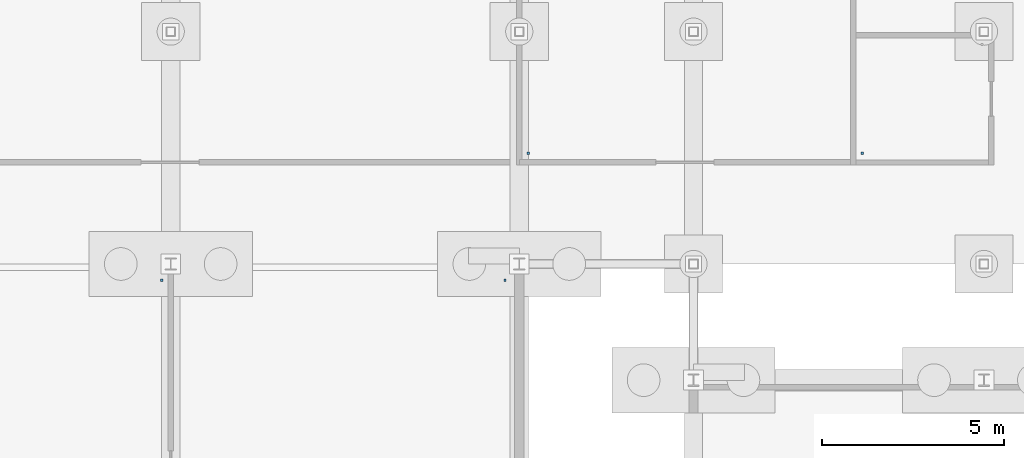
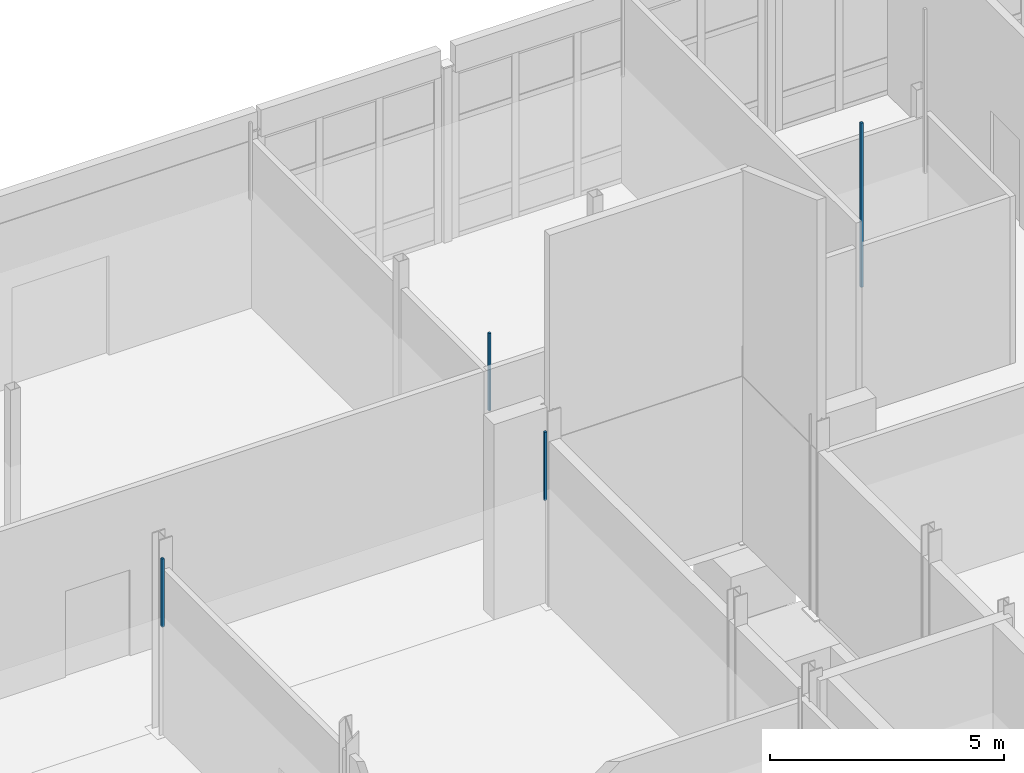
# One storey, part 78 of 111: 4 discrete accessories.
"""IFC4 building model written with IfcOpenShell, lengths in metres."""

from ifc_helpers import new_model, si_unit, direction, frame, origin, place, context, subcontext, project, spatial, polyline, outline, extrude, material, type_object, element, save


model = new_model("IFC4")

# Units and contexts
model_context = context("Model", 3, precision=1e-05, world=origin(), true_north=direction((0.0, 1.0)))
body_context = subcontext(model_context, "Body", "Model", "MODEL_VIEW")
ifc_project = project(units=[si_unit("LENGTHUNIT", "METRE"), si_unit("AREAUNIT", "SQUARE_METRE"), si_unit("VOLUMEUNIT", "CUBIC_METRE"), si_unit("PLANEANGLEUNIT", "RADIAN"), si_unit("MASSUNIT", "GRAM", prefix="KILO")], contexts=[model_context])

# Site, building, storey
site_placement = place(None, origin())
site = spatial("IfcSite", under=ifc_project, at=site_placement, CompositionType="ELEMENT")
building_placement = place(site_placement, origin())
building = spatial("IfcBuilding", under=site, at=building_placement, Name="Dunescarp Central Library", CompositionType="ELEMENT")
storey_placement = place(building_placement, origin())
storey = spatial("IfcBuildingStorey", under=building, at=storey_placement, Name="L00", CompositionType="ELEMENT", Elevation=0.0)

# Discrete accessories
ifc_material = material(Name="Stainless steel Grade 316L", Category="steel")
discrete_accessory_type = type_object("IfcDiscreteAccessoryType", Name="ARC-ACC-BRK", PredefinedType="BRACKET", material=ifc_material)
discrete_accessory_1_placement = place(storey_placement, frame((0.0, 0.0, 3.06005859375)))
element("IfcDiscreteAccessory", 1, at=discrete_accessory_1_placement, inside=storey, type_object=discrete_accessory_type, Name="L00 ceiling hanger CLG-L00-049-H2", PredefinedType="BRACKET", context=body_context, shape_type="SweptSolid", body=[
    extrude(outline(polyline([(66.919921875, 36.320068359375), (66.97998046875, 36.320068359375), (66.97998046875, 36.3798828125), (66.919921875, 36.3798828125), (66.919921875, 36.320068359375)])), origin(), (0.0, 0.0, 1.0), 1.780029296875),
])
discrete_accessory_2_placement = place(storey_placement, frame((0.0, 0.0, 3.06005859375)))
element("IfcDiscreteAccessory", 2, at=discrete_accessory_2_placement, inside=storey, type_object=discrete_accessory_type, Name="L00 ceiling hanger CLG-L00-051-H2", PredefinedType="BRACKET", context=body_context, shape_type="SweptSolid", body=[
    extrude(outline(polyline([(76.3798828125, 36.320068359375), (76.43994140625, 36.320068359375), (76.43994140625, 36.3798828125), (76.3798828125, 36.3798828125), (76.3798828125, 36.320068359375)])), origin(), (0.0, 0.0, 1.0), 1.780029296875),
])
discrete_accessory_3_placement = place(storey_placement, frame((0.0, 0.0, 3.06005859375)))
element("IfcDiscreteAccessory", 3, at=discrete_accessory_3_placement, inside=storey, type_object=discrete_accessory_type, Name="L00 ceiling hanger CLG-L00-157-H1", PredefinedType="BRACKET", context=body_context, shape_type="SweptSolid", body=[
    extrude(outline(polyline([(77.02001953125, 39.820068359375), (77.080078125, 39.820068359375), (77.080078125, 39.8798828125), (77.02001953125, 39.8798828125), (77.02001953125, 39.820068359375)])), origin(), (0.0, 0.0, 1.0), 2.015869140625),
])
discrete_accessory_4_placement = place(storey_placement, frame((0.0, 0.0, 3.06005859375)))
element("IfcDiscreteAccessory", 4, at=discrete_accessory_4_placement, inside=storey, type_object=discrete_accessory_type, Name="L00 ceiling hanger CLG-L00-158-H1", PredefinedType="BRACKET", context=body_context, shape_type="SweptSolid", body=[
    extrude(outline(polyline([(86.219970703125, 39.820068359375), (86.280029296875, 39.820068359375), (86.280029296875, 39.8798828125), (86.219970703125, 39.8798828125), (86.219970703125, 39.820068359375)])), origin(), (0.0, 0.0, 1.0), 4.2919921875),
])

save(model, "model.ifc")
